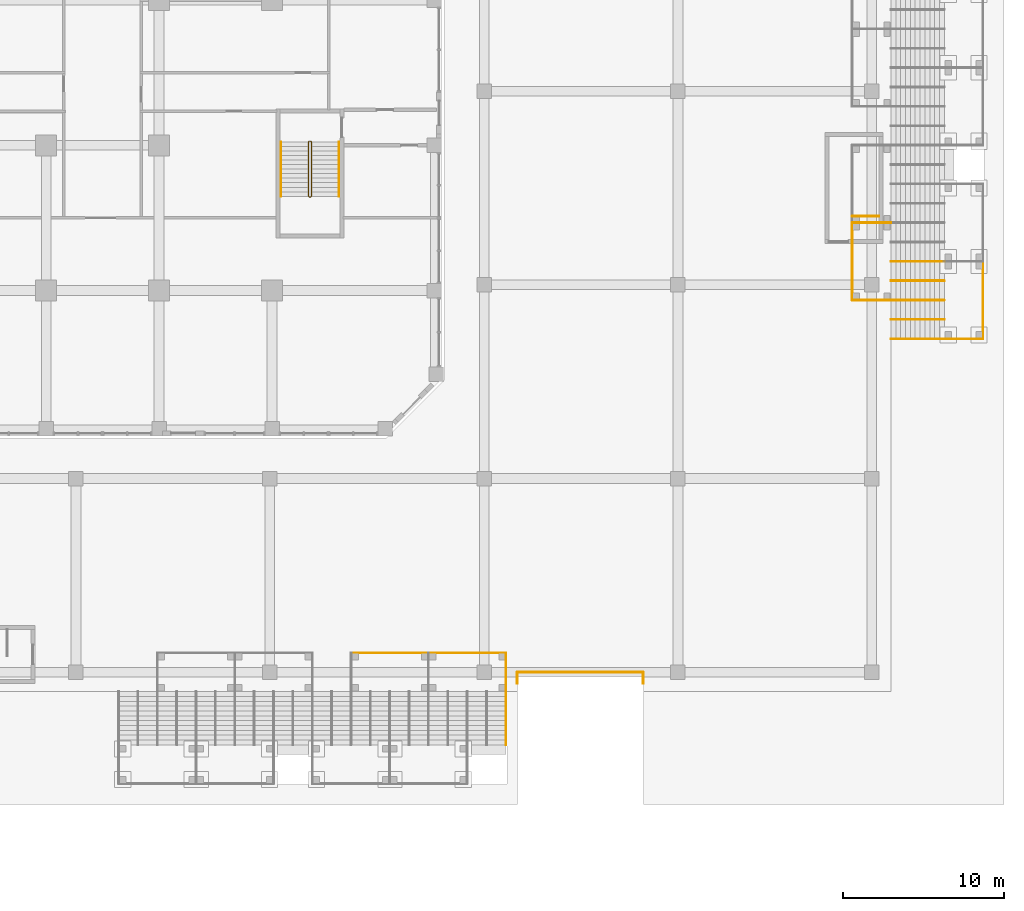
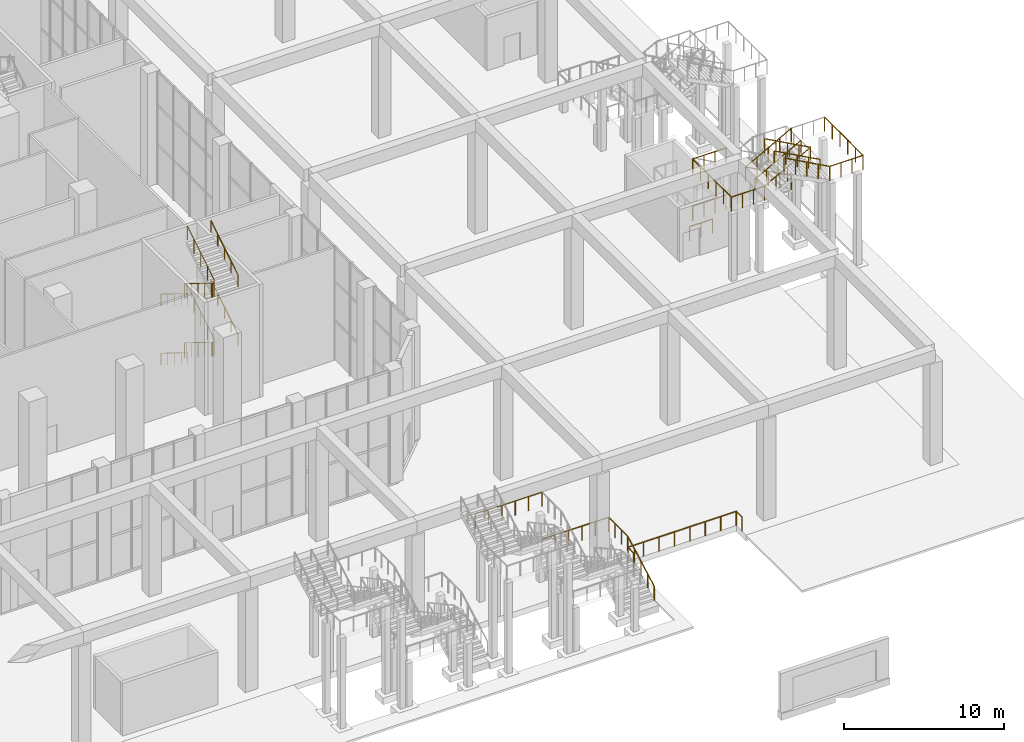
# One storey, part 34 of 43: 26 railings.
"""IFC4 building model written with IfcOpenShell, lengths in metres."""

import ifcopenshell
import ifcopenshell.guid

model = None  # the IFC model being written
_history = None  # IfcOwnerHistory: only IFC2X3 demands one
_inside = {}  # id of a spatial element -> (the spatial element, [elements in it])
_under = {}  # id of a project, library or spatial element -> (it, [spatial elements below it])
_declared = {}  # id of a project -> (the project, [libraries it declares])
_typed = {}  # id of a type object -> (the type object, [elements of that type])
_made_of = {}  # id of a material, layer set ... -> (it, [elements and type objects made of it])


def new_model(schema):
    """Start an empty IFC model of exactly this schema.

    Asked for "IFC4X3", IfcOpenShell would pick the latest addendum, in which some entities
    have other attributes; the version numbers below select the first issue.
    IFC2X3 requires an IfcOwnerHistory on every rooted entity: one is made here for all.
    """
    global model, _history
    if schema == "IFC4X3":
        model = ifcopenshell.file(schema_version=(4, 3, 0, 0))
    else:
        model = ifcopenshell.file(schema=schema)
    _inside.clear()
    _under.clear()
    _declared.clear()
    _typed.clear()
    _made_of.clear()
    _history = None
    if model.schema == "IFC2X3":
        org = make("IfcOrganization", Name="unknown")
        user = make(
            "IfcPersonAndOrganization",
            ThePerson=make("IfcPerson", FamilyName="unknown"),
            TheOrganization=org,
        )
        app = make(
            "IfcApplication",
            ApplicationDeveloper=org,
            Version="unknown",
            ApplicationFullName="unknown",
            ApplicationIdentifier="unknown",
        )
        _history = make(
            "IfcOwnerHistory",
            OwningUser=user,
            OwningApplication=app,
            ChangeAction="ADDED",
            CreationDate=0,
        )
    return model


def make(cls, **values):
    """One entity of the class cls with the attributes given. An attribute that is None is left unset."""
    return model.create_entity(
        cls, **{name: value for name, value in values.items() if value is not None}
    )


def rooted(cls, **values):
    """An entity with a GlobalId (a new one), such as an element, a storey or a relation."""
    return make(cls, GlobalId=ifcopenshell.guid.new(), OwnerHistory=_history, **values)


def si_unit(unit_type, name, prefix=None):
    """IfcSIUnit, for example si_unit("LENGTHUNIT", "METRE", prefix="MILLI")."""
    return make("IfcSIUnit", UnitType=unit_type, Prefix=prefix, Name=name)


def assignment(units):
    """IfcUnitAssignment: the units of a project."""
    return None if units is None else make("IfcUnitAssignment", Units=units)


def point(xyz):
    """IfcCartesianPoint."""
    return None if xyz is None else make("IfcCartesianPoint", Coordinates=xyz)


def direction(xyz):
    """IfcDirection."""
    return None if xyz is None else make("IfcDirection", DirectionRatios=xyz)


def frame(location, z_axis=None, x_axis=None):
    """IfcAxis2Placement3D, a coordinate frame: its origin and axes. An axis left out is left unset."""
    return make(
        "IfcAxis2Placement3D",
        Location=point(location),
        Axis=direction(z_axis),
        RefDirection=direction(x_axis),
    )


def frame_2d(location, x_axis=None):
    """IfcAxis2Placement2D, a coordinate frame in the plane: its origin and x axis."""
    return make(
        "IfcAxis2Placement2D", Location=point(location), RefDirection=direction(x_axis)
    )


def origin():
    """The frame at (0, 0, 0) with its axes left unset."""
    return frame((0.0, 0.0, 0.0))


def origin_2d():
    """The frame at (0, 0) in the plane with its x axis left unset."""
    return frame_2d((0.0, 0.0))


def place(relative_to, where):
    """IfcLocalPlacement: puts the frame where relative to a parent placement (None: the world)."""
    return make(
        "IfcLocalPlacement", PlacementRelTo=relative_to, RelativePlacement=where
    )


def context(
    kind, dimensions, precision=None, world=None, true_north=None, identifier=None
):
    """IfcGeometricRepresentationContext, for example the 3D "Model" context."""
    return make(
        "IfcGeometricRepresentationContext",
        ContextIdentifier=identifier,
        ContextType=kind,
        CoordinateSpaceDimension=dimensions,
        Precision=precision,
        WorldCoordinateSystem=world,
        TrueNorth=true_north,
    )


def subcontext(parent, identifier, kind, view, scale=None):
    """IfcGeometricRepresentationSubContext, for example "Body" below "Model"."""
    return make(
        "IfcGeometricRepresentationSubContext",
        ContextIdentifier=identifier,
        ContextType=kind,
        ParentContext=parent,
        TargetScale=scale,
        TargetView=view,
    )


def project(units=None, contexts=None):
    """IfcProject with its units and contexts."""
    return rooted(
        "IfcProject",
        Name="project",
        RepresentationContexts=contexts,
        UnitsInContext=assignment(units),
    )


def spatial(cls, under=None, at=None, **own):
    """A site, building, storey or space (cls), placed at a placement, below another one or the project."""
    s = rooted(cls, ObjectPlacement=at, **own)
    if under is not None:
        _under.setdefault(under.id(), (under, []))[1].append(s)
    return s


def profile(cls, at=None, kind="AREA", **sizes):
    """A parametric profile (cls). Its sizes go by their IFC names, for example OverallWidth=200.0."""
    return make(cls, ProfileType=kind, Position=at, **sizes)


def circle(**sizes):
    """IfcCircleProfileDef."""
    return profile("IfcCircleProfileDef", **sizes)


def extrude(swept, where, along, depth):
    """IfcExtrudedAreaSolid: the profile swept, set in the frame where, extruded along a direction by depth."""
    return make(
        "IfcExtrudedAreaSolid",
        SweptArea=swept,
        Position=where,
        ExtrudedDirection=direction(along),
        Depth=depth,
    )


def shape(context_of_items, identifier, shape_type, items):
    """IfcShapeRepresentation: the items that make up one representation, for example the "Body"."""
    return make(
        "IfcShapeRepresentation",
        ContextOfItems=context_of_items,
        RepresentationIdentifier=identifier,
        RepresentationType=shape_type,
        Items=items,
    )


def material(Name=None, Category=None):
    """IfcMaterial."""
    return make("IfcMaterial", Name=Name, Category=Category)


def made_of(thing, what):
    """Note that an element or type object is made of a material, layer set ...; save() writes the relation."""
    if what is not None:
        _made_of.setdefault(what.id(), (what, []))[1].append(thing)
    return thing


def type_object(cls, material=None, **own):
    """A type object (cls), such as IfcWallType, which elements share."""
    return made_of(rooted(cls, **own), material)


def element(
    cls,
    number,
    at=None,
    inside=None,
    cuts=None,
    type_object=None,
    material=None,
    context=None,
    identifier="Body",
    shape_type=None,
    held_by="IfcProductDefinitionShape",
    body=None,
    shapes=None,
    **own,
):
    """One element of the class cls, such as IfcWall. Its Tag is "e" and its number.

    at: its placement. inside: the storey or other place that contains it. cuts: it is an
    opening in that element (IfcRelVoidsElement). A single representation is given by context,
    identifier, shape_type and body (its items); several are given by shapes. held_by: the class
    of the entity that holds the representations. save() writes the other relations.
    """
    e = rooted(cls, Tag="e%d" % number, ObjectPlacement=at, **own)
    if body is not None:
        shapes = [shape(context, identifier, shape_type, body)]
    if shapes is not None:
        e.Representation = make(held_by, Representations=shapes)
    if inside is not None:
        _inside.setdefault(inside.id(), (inside, []))[1].append(e)
    if cuts is not None:
        rooted(
            "IfcRelVoidsElement", RelatingBuildingElement=cuts, RelatedOpeningElement=e
        )
    if type_object is not None:
        _typed.setdefault(type_object.id(), (type_object, []))[1].append(e)
    return made_of(e, material)


def aggregate(whole, parts):
    """IfcRelAggregates: a whole, such as a stair, and the parts it consists of."""
    return rooted("IfcRelAggregates", RelatingObject=whole, RelatedObjects=parts)


def save(model, path):
    """Write the relations noted so far, then the file.

    IfcRelAggregates (storeys below a building ...), IfcRelContainedInSpatialStructure (elements
    in a storey), IfcRelDefinesByType, IfcRelAssociatesMaterial and IfcRelDeclares: one each for
    every whole, place, type object, material and project.
    """
    for whole, parts in _under.values():
        aggregate(whole, parts)
    for where, things in _inside.values():
        rooted(
            "IfcRelContainedInSpatialStructure",
            RelatedElements=things,
            RelatingStructure=where,
        )
    for kind, things in _typed.values():
        rooted("IfcRelDefinesByType", RelatedObjects=things, RelatingType=kind)
    for what, things in _made_of.values():
        rooted("IfcRelAssociatesMaterial", RelatedObjects=things, RelatingMaterial=what)
    for by, libraries in _declared.values():
        rooted("IfcRelDeclares", RelatingContext=by, RelatedDefinitions=libraries)
    model.write(path)


model = new_model("IFC4")

# Units and contexts
model_context = context("Model", 3, precision=1e-05, world=origin(), true_north=direction((0.0, 1.0)))
body_context = subcontext(model_context, "Body", "Model", "MODEL_VIEW")
ifc_project = project(units=[si_unit("LENGTHUNIT", "METRE"), si_unit("AREAUNIT", "SQUARE_METRE"), si_unit("VOLUMEUNIT", "CUBIC_METRE"), si_unit("PLANEANGLEUNIT", "RADIAN"), si_unit("MASSUNIT", "GRAM", prefix="KILO")], contexts=[model_context])

# Site, building, storey
site_placement = place(None, origin())
site = spatial("IfcSite", under=ifc_project, at=site_placement, CompositionType="ELEMENT")
building_placement = place(site_placement, origin())
building = spatial("IfcBuilding", under=site, at=building_placement, Name="Kilnfold Tower and Market Hall", CompositionType="ELEMENT")
storey_placement = place(building_placement, origin())
storey = spatial("IfcBuildingStorey", under=building, at=storey_placement, Name="L00", CompositionType="ELEMENT", Elevation=0.0)

# Railings
ifc_material_1 = material(Name="Stainless steel 316", Category="steel")
railing_type_1 = type_object("IfcRailingType", Name="CAR PARK STAIR GUARD 1100", PredefinedType="GUARDRAIL", material=ifc_material_1)
railing_1_placement = place(storey_placement, frame((32.699951171875, -43.35009765625, 0.0)))
element("IfcRailing", 1, at=railing_1_placement, inside=storey, type_object=railing_type_1, Name="Ramp portal guard 1", PredefinedType="GUARDRAIL", context=body_context, shape_type="SweptSolid", body=[
    extrude(circle(Radius=0.02392578125, at=origin_2d()), frame((0.0, 0.0, 1.076171875), z_axis=(0.0, 1.0, 0.0), x_axis=(-1.0, 0.0, 0.0)), (0.0, 0.0, 1.0), 0.7001953125),
    extrude(circle(Radius=0.02099609375, at=origin_2d()), origin(), (0.0, 0.0, 1.0), 1.052001953125),
    extrude(circle(Radius=0.02099609375, at=origin_2d()), frame((0.0, 0.7001953125, 0.0)), (0.0, 0.0, 1.0), 1.052001953125),
])
railing_2_placement = place(storey_placement, frame((32.699951171875, -42.64990234375, 0.0)))
element("IfcRailing", 2, at=railing_2_placement, inside=storey, type_object=railing_type_1, Name="Ramp portal guard 2", PredefinedType="GUARDRAIL", context=body_context, shape_type="SweptSolid", body=[
    extrude(circle(Radius=0.02392578125, at=origin_2d()), frame((0.0, 0.0, 1.076171875), z_axis=(1.0, 0.0, 0.0), x_axis=(0.0, 1.0, 0.0)), (0.0, 0.0, 1.0), 7.800048828125),
    extrude(circle(Radius=0.02099609375, at=origin_2d()), origin(), (0.0, 0.0, 1.0), 1.052001953125),
    extrude(circle(Radius=0.02099609375, at=origin_2d()), frame((1.1142578125, 0.0, 0.0)), (0.0, 0.0, 1.0), 1.052001953125),
    extrude(circle(Radius=0.02099609375, at=origin_2d()), frame((2.228515625, 0.0, 0.0)), (0.0, 0.0, 1.0), 1.052001953125),
    extrude(circle(Radius=0.02099609375, at=origin_2d()), frame((3.3427734375, 0.0, 0.0)), (0.0, 0.0, 1.0), 1.052001953125),
    extrude(circle(Radius=0.02099609375, at=origin_2d()), frame((4.457275390625, 0.0, 0.0)), (0.0, 0.0, 1.0), 1.052001953125),
    extrude(circle(Radius=0.02099609375, at=origin_2d()), frame((5.571533203125, 0.0, 0.0)), (0.0, 0.0, 1.0), 1.052001953125),
    extrude(circle(Radius=0.02099609375, at=origin_2d()), frame((6.685791015625, 0.0, 0.0)), (0.0, 0.0, 1.0), 1.052001953125),
    extrude(circle(Radius=0.02099609375, at=origin_2d()), frame((7.800048828125, 0.0, 0.0)), (0.0, 0.0, 1.0), 1.052001953125),
])
railing_3_placement = place(storey_placement, frame((40.5, -42.64990234375, 0.0)))
element("IfcRailing", 3, at=railing_3_placement, inside=storey, type_object=railing_type_1, Name="Ramp portal guard 3", PredefinedType="GUARDRAIL", context=body_context, shape_type="SweptSolid", body=[
    extrude(circle(Radius=0.02392578125, at=origin_2d()), frame((0.0, 0.0, 1.076171875), z_axis=(0.0, -1.0, 0.0), x_axis=(1.0, 0.0, 0.0)), (0.0, 0.0, 1.0), 0.7001953125),
    extrude(circle(Radius=0.02099609375, at=origin_2d()), origin(), (0.0, 0.0, 1.0), 1.052001953125),
    extrude(circle(Radius=0.02099609375, at=origin_2d()), frame((0.0, -0.7001953125, 0.0)), (0.0, 0.0, 1.0), 1.052001953125),
])
railing_4_placement = place(storey_placement, frame((55.10009765625, -14.39990234375, 0.0)))
element("IfcRailing", 4, at=railing_4_placement, inside=storey, type_object=railing_type_1, Name="L00 CS3 top well guard 1", PredefinedType="GUARDRAIL", context=body_context, shape_type="SweptSolid", body=[
    extrude(circle(Radius=0.02392578125, at=origin_2d()), frame((0.0, 0.0, 1.076171875), z_axis=(-1.0, 0.0, 0.0), x_axis=(0.0, -1.0, 0.0)), (0.0, 0.0, 1.0), 1.650146484375),
    extrude(circle(Radius=0.02099609375, at=origin_2d()), origin(), (0.0, 0.0, 1.0), 1.052001953125),
    extrude(circle(Radius=0.02099609375, at=origin_2d()), frame((-0.8251953125, 0.0, 0.0)), (0.0, 0.0, 1.0), 1.052001953125),
    extrude(circle(Radius=0.02099609375, at=origin_2d()), frame((-1.650146484375, 0.0, 0.0)), (0.0, 0.0, 1.0), 1.052001953125),
])
ifc_material_2 = material(Name="Stainless steel 316", Category="steel")
railing_type_2 = type_object("IfcRailingType", Name="CORE STAIR GUARD 1100", PredefinedType="GUARDRAIL", material=ifc_material_2)
railing_5_placement = place(storey_placement, frame((19.89990234375, -9.75, 0.0)))
element("IfcRailing", 5, at=railing_5_placement, inside=storey, type_object=railing_type_2, Name="L00 ST4 stair guard 1", PredefinedType="GUARDRAIL", context=body_context, shape_type="SweptSolid", body=[
    extrude(circle(Radius=0.02392578125, at=origin_2d()), frame((0.0, 0.0, 1.076171875), z_axis=(-1.0, 0.0, 0.0), x_axis=(0.0, -1.0, 0.0)), (0.0, 0.0, 1.0), 0.099853515625),
    extrude(circle(Radius=0.02392578125, at=origin_2d()), frame((-0.099853515625, 0.0, 1.076171875), z_axis=(-0.267629722418, -0.267629722418, 0.925607186314), x_axis=(0.707106781187, -0.707106781187, 0.0)), (0.0, 0.0, 1.0), 0.18701171875),
    extrude(circle(Radius=0.02392578125, at=origin_2d()), frame((-0.14990234375, -0.050048828125, 1.2490234375), z_axis=(0.0, -0.850606129759, 0.525803396734), x_axis=(1.0, 0.0, 0.0)), (0.0, 0.0, 1.0), 3.949951171875),
    extrude(circle(Radius=0.02392578125, at=origin_2d()), frame((-0.14990234375, -3.409912109375, 3.326171875), z_axis=(0.707106781187, -0.707106781187, 0.0), x_axis=(0.707106781187, 0.707106781187, 0.0)), (0.0, 0.0, 1.0), 0.07080078125),
    extrude(circle(Radius=0.02392578125, at=origin_2d()), frame((-0.099853515625, -3.4599609375, 3.326171875), z_axis=(1.0, 0.0, 0.0), x_axis=(0.0, 1.0, 0.0)), (0.0, 0.0, 1.0), 0.099853515625),
    extrude(circle(Radius=0.02392578125, at=origin_2d()), frame((0.0, -3.4599609375, 3.326171875), z_axis=(0.267629722418, 0.267629722418, 0.925607186314), x_axis=(-0.707106781187, 0.707106781187, 0.0)), (0.0, 0.0, 1.0), 0.18701171875),
    extrude(circle(Radius=0.02392578125, at=origin_2d()), frame((0.050048828125, -3.409912109375, 3.4990234375), z_axis=(0.0, 0.850606129759, 0.525803396734), x_axis=(-1.0, 0.0, 0.0)), (0.0, 0.0, 1.0), 3.949951171875),
    extrude(circle(Radius=0.02392578125, at=origin_2d()), frame((0.050048828125, -0.050048828125, 5.576171875), z_axis=(-0.707106781187, 0.707106781187, 0.0), x_axis=(-0.707106781187, -0.707106781187, 0.0)), (0.0, 0.0, 1.0), 0.07080078125),
    extrude(circle(Radius=0.02392578125, at=origin_2d()), frame((0.0, 0.0, 5.576171875), z_axis=(-1.0, 0.0, 0.0), x_axis=(0.0, -1.0, 0.0)), (0.0, 0.0, 1.0), 0.099853515625),
    extrude(circle(Radius=0.02392578125, at=origin_2d()), frame((-0.099853515625, 0.0, 5.576171875), z_axis=(-0.267629722418, -0.267629722418, 0.925607186314), x_axis=(0.707106781187, -0.707106781187, 0.0)), (0.0, 0.0, 1.0), 0.18701171875),
    extrude(circle(Radius=0.02392578125, at=origin_2d()), frame((-0.14990234375, -0.050048828125, 5.7490234375), z_axis=(0.0, -0.850606129759, 0.525803396734), x_axis=(1.0, 0.0, 0.0)), (0.0, 0.0, 1.0), 3.949951171875),
    extrude(circle(Radius=0.02392578125, at=origin_2d()), frame((-0.14990234375, -3.409912109375, 7.826171875), z_axis=(0.707106781187, -0.707106781187, 0.0), x_axis=(0.707106781187, 0.707106781187, 0.0)), (0.0, 0.0, 1.0), 0.07080078125),
    extrude(circle(Radius=0.02392578125, at=origin_2d()), frame((-0.099853515625, -3.4599609375, 7.826171875), z_axis=(1.0, 0.0, 0.0), x_axis=(0.0, 1.0, 0.0)), (0.0, 0.0, 1.0), 0.099853515625),
    extrude(circle(Radius=0.02392578125, at=origin_2d()), frame((0.0, -3.4599609375, 7.826171875), z_axis=(0.267629722418, 0.267629722418, 0.925607186314), x_axis=(-0.707106781187, 0.707106781187, 0.0)), (0.0, 0.0, 1.0), 0.18701171875),
    extrude(circle(Radius=0.02392578125, at=origin_2d()), frame((0.050048828125, -3.409912109375, 7.9990234375), z_axis=(0.0, 0.850606129759, 0.525803396734), x_axis=(-1.0, 0.0, 0.0)), (0.0, 0.0, 1.0), 3.949951171875),
    extrude(circle(Radius=0.02099609375, at=origin_2d()), origin(), (0.0, 0.0, 1.0), 1.052001953125),
    extrude(circle(Radius=0.02099609375, at=origin_2d()), frame((-0.099853515625, 0.0, 0.0)), (0.0, 0.0, 1.0), 1.052001953125),
    extrude(circle(Radius=0.02099609375, at=origin_2d()), frame((-0.14990234375, -0.050048828125, 0.173095703125)), (0.0, 0.0, 1.0), 1.052001953125),
    extrude(circle(Radius=0.02099609375, at=origin_2d()), frame((-0.14990234375, -0.89013671875, 0.6923828125)), (0.0, 0.0, 1.0), 1.052001953125),
    extrude(circle(Radius=0.02099609375, at=origin_2d()), frame((-0.14990234375, -1.72998046875, 1.21142578125)), (0.0, 0.0, 1.0), 1.052001953125),
    extrude(circle(Radius=0.02099609375, at=origin_2d()), frame((-0.14990234375, -2.56982421875, 1.730712890625)), (0.0, 0.0, 1.0), 1.052001953125),
    extrude(circle(Radius=0.02099609375, at=origin_2d()), frame((-0.14990234375, -3.409912109375, 2.25)), (0.0, 0.0, 1.0), 1.052001953125),
    extrude(circle(Radius=0.02099609375, at=origin_2d()), frame((-0.099853515625, -3.4599609375, 2.25)), (0.0, 0.0, 1.0), 1.052001953125),
    extrude(circle(Radius=0.02099609375, at=origin_2d()), frame((0.0, -3.4599609375, 2.25)), (0.0, 0.0, 1.0), 1.052001953125),
    extrude(circle(Radius=0.02099609375, at=origin_2d()), frame((0.050048828125, -3.409912109375, 2.423095703125)), (0.0, 0.0, 1.0), 1.052001953125),
    extrude(circle(Radius=0.02099609375, at=origin_2d()), frame((0.050048828125, -2.56982421875, 2.9423828125)), (0.0, 0.0, 1.0), 1.052001953125),
    extrude(circle(Radius=0.02099609375, at=origin_2d()), frame((0.050048828125, -1.72998046875, 3.46142578125)), (0.0, 0.0, 1.0), 1.052001953125),
    extrude(circle(Radius=0.02099609375, at=origin_2d()), frame((0.050048828125, -0.89013671875, 3.980712890625)), (0.0, 0.0, 1.0), 1.052001953125),
    extrude(circle(Radius=0.02099609375, at=origin_2d()), frame((0.050048828125, -0.050048828125, 4.5)), (0.0, 0.0, 1.0), 1.052001953125),
    extrude(circle(Radius=0.02099609375, at=origin_2d()), frame((0.0, 0.0, 4.5)), (0.0, 0.0, 1.0), 1.052001953125),
    extrude(circle(Radius=0.02099609375, at=origin_2d()), frame((-0.099853515625, 0.0, 4.5)), (0.0, 0.0, 1.0), 1.052001953125),
    extrude(circle(Radius=0.02099609375, at=origin_2d()), frame((-0.14990234375, -0.050048828125, 4.673095703125)), (0.0, 0.0, 1.0), 1.052001953125),
    extrude(circle(Radius=0.02099609375, at=origin_2d()), frame((-0.14990234375, -0.89013671875, 5.1923828125)), (0.0, 0.0, 1.0), 1.052001953125),
    extrude(circle(Radius=0.02099609375, at=origin_2d()), frame((-0.14990234375, -1.72998046875, 5.71142578125)), (0.0, 0.0, 1.0), 1.052001953125),
    extrude(circle(Radius=0.02099609375, at=origin_2d()), frame((-0.14990234375, -2.56982421875, 6.230712890625)), (0.0, 0.0, 1.0), 1.052001953125),
    extrude(circle(Radius=0.02099609375, at=origin_2d()), frame((-0.14990234375, -3.409912109375, 6.75)), (0.0, 0.0, 1.0), 1.052001953125),
    extrude(circle(Radius=0.02099609375, at=origin_2d()), frame((-0.099853515625, -3.4599609375, 6.75)), (0.0, 0.0, 1.0), 1.052001953125),
    extrude(circle(Radius=0.02099609375, at=origin_2d()), frame((0.0, -3.4599609375, 6.75)), (0.0, 0.0, 1.0), 1.052001953125),
    extrude(circle(Radius=0.02099609375, at=origin_2d()), frame((0.050048828125, -3.409912109375, 6.923095703125)), (0.0, 0.0, 1.0), 1.052001953125),
    extrude(circle(Radius=0.02099609375, at=origin_2d()), frame((0.050048828125, -2.56982421875, 7.4423828125)), (0.0, 0.0, 1.0), 1.052001953125),
    extrude(circle(Radius=0.02099609375, at=origin_2d()), frame((0.050048828125, -1.72998046875, 7.96142578125)), (0.0, 0.0, 1.0), 1.052001953125),
    extrude(circle(Radius=0.02099609375, at=origin_2d()), frame((0.050048828125, -0.89013671875, 8.480712890625)), (0.0, 0.0, 1.0), 1.052001953125),
    extrude(circle(Radius=0.02099609375, at=origin_2d()), frame((0.050048828125, -0.050048828125, 9.0)), (0.0, 0.0, 1.0), 1.052001953125),
])
ifc_material_3 = material(Name="Stainless steel 316", Category="steel")
railing_type_3 = type_object("IfcRailingType", Name="CORE STAIR HANDRAIL 900", PredefinedType="HANDRAIL", material=ifc_material_3)
railing_6_placement = place(storey_placement, frame((18.050048828125, -9.800048828125, 0.173095703125)))
element("IfcRailing", 6, at=railing_6_placement, inside=storey, type_object=railing_type_3, Name="L00 ST4 stair handrail 1", PredefinedType="HANDRAIL", context=body_context, shape_type="SweptSolid", body=[
    extrude(circle(Radius=0.02392578125, at=origin_2d()), frame((0.0, 0.0, 0.8759765625), z_axis=(0.0, -0.850606129759, 0.525803396734), x_axis=(1.0, 0.0, 0.0)), (0.0, 0.0, 1.0), 3.949951171875),
    extrude(circle(Radius=0.02099609375, at=origin_2d()), origin(), (0.0, 0.0, 1.0), 0.851806640625),
    extrude(circle(Radius=0.02099609375, at=origin_2d()), frame((0.0, -0.83984375, 0.519287109375)), (0.0, 0.0, 1.0), 0.851806640625),
    extrude(circle(Radius=0.02099609375, at=origin_2d()), frame((0.0, -1.679931640625, 1.03857421875)), (0.0, 0.0, 1.0), 0.851806640625),
    extrude(circle(Radius=0.02099609375, at=origin_2d()), frame((0.0, -2.52001953125, 1.5576171875)), (0.0, 0.0, 1.0), 0.851806640625),
    extrude(circle(Radius=0.02099609375, at=origin_2d()), frame((0.0, -3.35986328125, 2.076904296875)), (0.0, 0.0, 1.0), 0.851806640625),
])
railing_7_placement = place(storey_placement, frame((21.64990234375, -13.159912109375, 2.423095703125)))
element("IfcRailing", 7, at=railing_7_placement, inside=storey, type_object=railing_type_3, Name="L00 ST4 stair handrail 2", PredefinedType="HANDRAIL", context=body_context, shape_type="SweptSolid", body=[
    extrude(circle(Radius=0.02392578125, at=origin_2d()), frame((0.0, 0.0, 0.8759765625), z_axis=(0.0, 0.850606129759, 0.525803396734), x_axis=(-1.0, 0.0, 0.0)), (0.0, 0.0, 1.0), 3.949951171875),
    extrude(circle(Radius=0.02099609375, at=origin_2d()), origin(), (0.0, 0.0, 1.0), 0.851806640625),
    extrude(circle(Radius=0.02099609375, at=origin_2d()), frame((0.0, 0.83984375, 0.519287109375)), (0.0, 0.0, 1.0), 0.851806640625),
    extrude(circle(Radius=0.02099609375, at=origin_2d()), frame((0.0, 1.679931640625, 1.03857421875)), (0.0, 0.0, 1.0), 0.851806640625),
    extrude(circle(Radius=0.02099609375, at=origin_2d()), frame((0.0, 2.52001953125, 1.5576171875)), (0.0, 0.0, 1.0), 0.851806640625),
    extrude(circle(Radius=0.02099609375, at=origin_2d()), frame((0.0, 3.35986328125, 2.076904296875)), (0.0, 0.0, 1.0), 0.851806640625),
])
railing_8_placement = place(storey_placement, frame((18.050048828125, -9.800048828125, 4.673095703125)))
element("IfcRailing", 8, at=railing_8_placement, inside=storey, type_object=railing_type_3, Name="L00 ST4 stair handrail 3", PredefinedType="HANDRAIL", context=body_context, shape_type="SweptSolid", body=[
    extrude(circle(Radius=0.02392578125, at=origin_2d()), frame((0.0, 0.0, 0.8759765625), z_axis=(0.0, -0.850606129759, 0.525803396734), x_axis=(1.0, 0.0, 0.0)), (0.0, 0.0, 1.0), 3.949951171875),
    extrude(circle(Radius=0.02099609375, at=origin_2d()), origin(), (0.0, 0.0, 1.0), 0.851806640625),
    extrude(circle(Radius=0.02099609375, at=origin_2d()), frame((0.0, -0.83984375, 0.519287109375)), (0.0, 0.0, 1.0), 0.851806640625),
    extrude(circle(Radius=0.02099609375, at=origin_2d()), frame((0.0, -1.679931640625, 1.03857421875)), (0.0, 0.0, 1.0), 0.851806640625),
    extrude(circle(Radius=0.02099609375, at=origin_2d()), frame((0.0, -2.52001953125, 1.5576171875)), (0.0, 0.0, 1.0), 0.851806640625),
    extrude(circle(Radius=0.02099609375, at=origin_2d()), frame((0.0, -3.35986328125, 2.076904296875)), (0.0, 0.0, 1.0), 0.851806640625),
])
railing_9_placement = place(storey_placement, frame((21.64990234375, -13.159912109375, 6.923095703125)))
element("IfcRailing", 9, at=railing_9_placement, inside=storey, type_object=railing_type_3, Name="L00 ST4 stair handrail 4", PredefinedType="HANDRAIL", context=body_context, shape_type="SweptSolid", body=[
    extrude(circle(Radius=0.02392578125, at=origin_2d()), frame((0.0, 0.0, 0.8759765625), z_axis=(0.0, 0.850606129759, 0.525803396734), x_axis=(-1.0, 0.0, 0.0)), (0.0, 0.0, 1.0), 3.949951171875),
    extrude(circle(Radius=0.02099609375, at=origin_2d()), origin(), (0.0, 0.0, 1.0), 0.851806640625),
    extrude(circle(Radius=0.02099609375, at=origin_2d()), frame((0.0, 0.83984375, 0.519287109375)), (0.0, 0.0, 1.0), 0.851806640625),
    extrude(circle(Radius=0.02099609375, at=origin_2d()), frame((0.0, 1.679931640625, 1.03857421875)), (0.0, 0.0, 1.0), 0.851806640625),
    extrude(circle(Radius=0.02099609375, at=origin_2d()), frame((0.0, 2.52001953125, 1.5576171875)), (0.0, 0.0, 1.0), 0.851806640625),
    extrude(circle(Radius=0.02099609375, at=origin_2d()), frame((0.0, 3.35986328125, 2.076904296875)), (0.0, 0.0, 1.0), 0.851806640625),
])
ifc_material_4 = material(Name="Stainless steel 316", Category="steel")
railing_type_4 = type_object("IfcRailingType", Name="DECK GUARD 1100", PredefinedType="GUARDRAIL", material=ifc_material_4)
railing_10_placement = place(storey_placement, frame((32.0, -43.85009765625, 1.800048828125)))
element("IfcRailing", 10, at=railing_10_placement, inside=storey, type_object=railing_type_4, Name="Garden stair GS-S2 guard 9", PredefinedType="GUARDRAIL", context=body_context, shape_type="SweptSolid", body=[
    extrude(circle(Radius=0.02392578125, at=origin_2d()), frame((0.0, 0.0, 1.076171875), z_axis=(0.0, -0.8778781969, -0.478883985332), x_axis=(1.0, 0.0, 0.0)), (0.0, 0.0, 1.0), 3.7587890625),
    extrude(circle(Radius=0.02099609375, at=origin_2d()), origin(), (0.0, 0.0, 1.0), 1.052001953125),
    extrude(circle(Radius=0.02099609375, at=origin_2d()), frame((0.0, -0.824951171875, -0.449951171875)), (0.0, 0.0, 1.0), 1.052001953125),
    extrude(circle(Radius=0.02099609375, at=origin_2d()), frame((0.0, -1.64990234375, -0.89990234375)), (0.0, 0.0, 1.0), 1.052001953125),
    extrude(circle(Radius=0.02099609375, at=origin_2d()), frame((0.0, -2.474853515625, -1.35009765625)), (0.0, 0.0, 1.0), 1.052001953125),
    extrude(circle(Radius=0.02099609375, at=origin_2d()), frame((0.0, -3.2998046875, -1.800048828125)), (0.0, 0.0, 1.0), 1.052001953125),
])
for number, where, name in (
    (11, (22.39990234375, -41.449951171875, 5.39990234375), "Garden stair GS-S2 guard 14"),
    (12, (27.199951171875, -41.449951171875, 1.800048828125), "Garden stair GS-S2 guard 20"),
):
    element("IfcRailing", number, at=place(storey_placement, frame(where)), inside=storey, type_object=railing_type_4, Name=name, PredefinedType="GUARDRAIL", context=body_context, shape_type="SweptSolid", body=[
        extrude(circle(Radius=0.02392578125, at=origin_2d()), frame((0.0, 0.0, 1.076171875), z_axis=(1.0, 0.0, 0.0), x_axis=(0.0, 1.0, 0.0)), (0.0, 0.0, 1.0), 4.800048828125),
        extrude(circle(Radius=0.02099609375, at=origin_2d()), origin(), (0.0, 0.0, 1.0), 1.052001953125),
        extrude(circle(Radius=0.02099609375, at=origin_2d()), frame((0.9599609375, 0.0, 0.0)), (0.0, 0.0, 1.0), 1.052001953125),
        extrude(circle(Radius=0.02099609375, at=origin_2d()), frame((1.919921875, 0.0, 0.0)), (0.0, 0.0, 1.0), 1.052001953125),
        extrude(circle(Radius=0.02099609375, at=origin_2d()), frame((2.880126953125, 0.0, 0.0)), (0.0, 0.0, 1.0), 1.052001953125),
        extrude(circle(Radius=0.02099609375, at=origin_2d()), frame((3.840087890625, 0.0, 0.0)), (0.0, 0.0, 1.0), 1.052001953125),
        extrude(circle(Radius=0.02099609375, at=origin_2d()), frame((4.800048828125, 0.0, 0.0)), (0.0, 0.0, 1.0), 1.052001953125),
    ])
railing_11_placement = place(storey_placement, frame((32.0, -41.449951171875, 1.800048828125)))
element("IfcRailing", 13, at=railing_11_placement, inside=storey, type_object=railing_type_4, Name="Garden stair GS-S2 guard 21", PredefinedType="GUARDRAIL", context=body_context, shape_type="SweptSolid", body=[
    extrude(circle(Radius=0.02392578125, at=origin_2d()), frame((0.0, 0.0, 1.076171875), z_axis=(0.0, -1.0, 0.0), x_axis=(1.0, 0.0, 0.0)), (0.0, 0.0, 1.0), 2.400146484375),
    extrude(circle(Radius=0.02099609375, at=origin_2d()), origin(), (0.0, 0.0, 1.0), 1.052001953125),
    extrude(circle(Radius=0.02099609375, at=origin_2d()), frame((0.0, -0.800048828125, 0.0)), (0.0, 0.0, 1.0), 1.052001953125),
    extrude(circle(Radius=0.02099609375, at=origin_2d()), frame((0.0, -1.60009765625, 0.0)), (0.0, 0.0, 1.0), 1.052001953125),
    extrude(circle(Radius=0.02099609375, at=origin_2d()), frame((0.0, -2.400146484375, 0.0)), (0.0, 0.0, 1.0), 1.052001953125),
])
railing_12_placement = place(storey_placement, frame((55.85009765625, -19.60009765625, 9.0)))
element("IfcRailing", 14, at=railing_12_placement, inside=storey, type_object=railing_type_4, Name="Garden stair GS-E1 guard 1", PredefinedType="GUARDRAIL", context=body_context, shape_type="SweptSolid", body=[
    extrude(circle(Radius=0.02392578125, at=origin_2d()), frame((0.0, 0.0, 1.076171875), z_axis=(0.8778781969, 0.0, -0.478883985332), x_axis=(0.0, 1.0, 0.0)), (0.0, 0.0, 1.0), 3.7587890625),
    extrude(circle(Radius=0.02099609375, at=origin_2d()), origin(), (0.0, 0.0, 1.0), 1.052001953125),
    extrude(circle(Radius=0.02099609375, at=origin_2d()), frame((0.824951171875, 0.0, -0.449951171875)), (0.0, 0.0, 1.0), 1.052001953125),
    extrude(circle(Radius=0.02099609375, at=origin_2d()), frame((1.64990234375, 0.0, -0.89990234375)), (0.0, 0.0, 1.0), 1.052001953125),
    extrude(circle(Radius=0.02099609375, at=origin_2d()), frame((2.474853515625, 0.0, -1.35009765625)), (0.0, 0.0, 1.0), 1.052001953125),
    extrude(circle(Radius=0.02099609375, at=origin_2d()), frame((3.2998046875, 0.0, -1.800048828125)), (0.0, 0.0, 1.0), 1.052001953125),
])
railing_13_placement = place(storey_placement, frame((59.14990234375, -22.0, 7.199951171875)))
element("IfcRailing", 15, at=railing_13_placement, inside=storey, type_object=railing_type_4, Name="Garden stair GS-E1 guard 2", PredefinedType="GUARDRAIL", context=body_context, shape_type="SweptSolid", body=[
    extrude(circle(Radius=0.02392578125, at=origin_2d()), frame((0.0, 0.0, 1.076171875), z_axis=(-0.8778781969, 0.0, 0.478883985332), x_axis=(0.0, -1.0, 0.0)), (0.0, 0.0, 1.0), 3.7587890625),
    extrude(circle(Radius=0.02099609375, at=origin_2d()), origin(), (0.0, 0.0, 1.0), 1.052001953125),
    extrude(circle(Radius=0.02099609375, at=origin_2d()), frame((-0.824951171875, 0.0, 0.449951171875)), (0.0, 0.0, 1.0), 1.052001953125),
    extrude(circle(Radius=0.02099609375, at=origin_2d()), frame((-1.64990234375, 0.0, 0.89990234375)), (0.0, 0.0, 1.0), 1.052001953125),
    extrude(circle(Radius=0.02099609375, at=origin_2d()), frame((-2.474853515625, 0.0, 1.35009765625)), (0.0, 0.0, 1.0), 1.052001953125),
    extrude(circle(Radius=0.02099609375, at=origin_2d()), frame((-3.2998046875, 0.0, 1.800048828125)), (0.0, 0.0, 1.0), 1.052001953125),
])
railing_14_placement = place(storey_placement, frame((55.85009765625, -17.199951171875, 5.39990234375)))
element("IfcRailing", 16, at=railing_14_placement, inside=storey, type_object=railing_type_4, Name="Garden stair GS-E1 guard 3", PredefinedType="GUARDRAIL", context=body_context, shape_type="SweptSolid", body=[
    extrude(circle(Radius=0.02392578125, at=origin_2d()), frame((0.0, 0.0, 1.076171875), z_axis=(0.8778781969, 0.0, 0.478883985332), x_axis=(0.0, 1.0, 0.0)), (0.0, 0.0, 1.0), 3.7587890625),
    extrude(circle(Radius=0.02099609375, at=origin_2d()), origin(), (0.0, 0.0, 1.0), 1.052001953125),
    extrude(circle(Radius=0.02099609375, at=origin_2d()), frame((0.824951171875, 0.0, 0.449951171875)), (0.0, 0.0, 1.0), 1.052001953125),
    extrude(circle(Radius=0.02099609375, at=origin_2d()), frame((1.64990234375, 0.0, 0.89990234375)), (0.0, 0.0, 1.0), 1.052001953125),
    extrude(circle(Radius=0.02099609375, at=origin_2d()), frame((2.474853515625, 0.0, 1.35009765625)), (0.0, 0.0, 1.0), 1.052001953125),
    extrude(circle(Radius=0.02099609375, at=origin_2d()), frame((3.2998046875, 0.0, 1.800048828125)), (0.0, 0.0, 1.0), 1.052001953125),
])
railing_15_placement = place(storey_placement, frame((59.14990234375, -19.60009765625, 7.199951171875)))
element("IfcRailing", 17, at=railing_15_placement, inside=storey, type_object=railing_type_4, Name="Garden stair GS-E1 guard 4", PredefinedType="GUARDRAIL", context=body_context, shape_type="SweptSolid", body=[
    extrude(circle(Radius=0.02392578125, at=origin_2d()), frame((0.0, 0.0, 1.076171875), z_axis=(-0.8778781969, 0.0, -0.478883985332), x_axis=(0.0, -1.0, 0.0)), (0.0, 0.0, 1.0), 3.7587890625),
    extrude(circle(Radius=0.02099609375, at=origin_2d()), origin(), (0.0, 0.0, 1.0), 1.052001953125),
    extrude(circle(Radius=0.02099609375, at=origin_2d()), frame((-0.824951171875, 0.0, -0.449951171875)), (0.0, 0.0, 1.0), 1.052001953125),
    extrude(circle(Radius=0.02099609375, at=origin_2d()), frame((-1.64990234375, 0.0, -0.89990234375)), (0.0, 0.0, 1.0), 1.052001953125),
    extrude(circle(Radius=0.02099609375, at=origin_2d()), frame((-2.474853515625, 0.0, -1.35009765625)), (0.0, 0.0, 1.0), 1.052001953125),
    extrude(circle(Radius=0.02099609375, at=origin_2d()), frame((-3.2998046875, 0.0, -1.800048828125)), (0.0, 0.0, 1.0), 1.052001953125),
])
railing_16_placement = place(storey_placement, frame((59.14990234375, -17.199951171875, 3.60009765625)))
element("IfcRailing", 18, at=railing_16_placement, inside=storey, type_object=railing_type_4, Name="Garden stair GS-E1 guard 6", PredefinedType="GUARDRAIL", context=body_context, shape_type="SweptSolid", body=[
    extrude(circle(Radius=0.02392578125, at=origin_2d()), frame((0.0, 0.0, 1.076171875), z_axis=(-0.877905501855, 0.0, 0.478833927173), x_axis=(0.0, -1.0, 0.0)), (0.0, 0.0, 1.0), 3.7587890625),
    extrude(circle(Radius=0.02099609375, at=origin_2d()), origin(), (0.0, 0.0, 1.0), 1.052001953125),
    extrude(circle(Radius=0.02099609375, at=origin_2d()), frame((-0.824951171875, 0.0, 0.449951171875)), (0.0, 0.0, 1.0), 1.052001953125),
    extrude(circle(Radius=0.02099609375, at=origin_2d()), frame((-1.64990234375, 0.0, 0.89990234375)), (0.0, 0.0, 1.0), 1.052001953125),
    extrude(circle(Radius=0.02099609375, at=origin_2d()), frame((-2.474853515625, 0.0, 1.349853515625)), (0.0, 0.0, 1.0), 1.052001953125),
    extrude(circle(Radius=0.02099609375, at=origin_2d()), frame((-3.2998046875, 0.0, 1.7998046875)), (0.0, 0.0, 1.0), 1.052001953125),
])
railing_17_placement = place(storey_placement, frame((61.550048828125, -17.199951171875, 7.199951171875)))
element("IfcRailing", 19, at=railing_17_placement, inside=storey, type_object=railing_type_4, Name="Garden stair GS-E1 guard 12", PredefinedType="GUARDRAIL", context=body_context, shape_type="SweptSolid", body=[
    extrude(circle(Radius=0.02392578125, at=origin_2d()), frame((0.0, 0.0, 1.076171875), z_axis=(0.0, -1.0, 0.0), x_axis=(1.0, 0.0, 0.0)), (0.0, 0.0, 1.0), 4.800048828125),
    extrude(circle(Radius=0.02099609375, at=origin_2d()), origin(), (0.0, 0.0, 1.0), 1.052001953125),
    extrude(circle(Radius=0.02099609375, at=origin_2d()), frame((0.0, -0.9599609375, 0.0)), (0.0, 0.0, 1.0), 1.052001953125),
    extrude(circle(Radius=0.02099609375, at=origin_2d()), frame((0.0, -1.919921875, 0.0)), (0.0, 0.0, 1.0), 1.052001953125),
    extrude(circle(Radius=0.02099609375, at=origin_2d()), frame((0.0, -2.880126953125, 0.0)), (0.0, 0.0, 1.0), 1.052001953125),
    extrude(circle(Radius=0.02099609375, at=origin_2d()), frame((0.0, -3.840087890625, 0.0)), (0.0, 0.0, 1.0), 1.052001953125),
    extrude(circle(Radius=0.02099609375, at=origin_2d()), frame((0.0, -4.800048828125, 0.0)), (0.0, 0.0, 1.0), 1.052001953125),
])
railing_18_placement = place(storey_placement, frame((61.550048828125, -22.0, 7.199951171875)))
element("IfcRailing", 20, at=railing_18_placement, inside=storey, type_object=railing_type_4, Name="Garden stair GS-E1 guard 13", PredefinedType="GUARDRAIL", context=body_context, shape_type="SweptSolid", body=[
    extrude(circle(Radius=0.02392578125, at=origin_2d()), frame((0.0, 0.0, 1.076171875), z_axis=(-1.0, 0.0, 0.0), x_axis=(0.0, -1.0, 0.0)), (0.0, 0.0, 1.0), 2.400146484375),
    extrude(circle(Radius=0.02099609375, at=origin_2d()), origin(), (0.0, 0.0, 1.0), 1.052001953125),
    extrude(circle(Radius=0.02099609375, at=origin_2d()), frame((-0.800048828125, 0.0, 0.0)), (0.0, 0.0, 1.0), 1.052001953125),
    extrude(circle(Radius=0.02099609375, at=origin_2d()), frame((-1.60009765625, 0.0, 0.0)), (0.0, 0.0, 1.0), 1.052001953125),
    extrude(circle(Radius=0.02099609375, at=origin_2d()), frame((-2.400146484375, 0.0, 0.0)), (0.0, 0.0, 1.0), 1.052001953125),
])
railing_19_placement = place(storey_placement, frame((53.449951171875, -19.60009765625, 5.39990234375)))
element("IfcRailing", 21, at=railing_19_placement, inside=storey, type_object=railing_type_4, Name="Garden stair GS-E1 guard 14", PredefinedType="GUARDRAIL", context=body_context, shape_type="SweptSolid", body=[
    extrude(circle(Radius=0.02392578125, at=origin_2d()), frame((0.0, 0.0, 1.076171875), z_axis=(0.0, 1.0, 0.0), x_axis=(-1.0, 0.0, 0.0)), (0.0, 0.0, 1.0), 4.800048828125),
    extrude(circle(Radius=0.02099609375, at=origin_2d()), origin(), (0.0, 0.0, 1.0), 1.052001953125),
    extrude(circle(Radius=0.02099609375, at=origin_2d()), frame((0.0, 0.9599609375, 0.0)), (0.0, 0.0, 1.0), 1.052001953125),
    extrude(circle(Radius=0.02099609375, at=origin_2d()), frame((0.0, 1.919921875, 0.0)), (0.0, 0.0, 1.0), 1.052001953125),
    extrude(circle(Radius=0.02099609375, at=origin_2d()), frame((0.0, 2.880126953125, 0.0)), (0.0, 0.0, 1.0), 1.052001953125),
    extrude(circle(Radius=0.02099609375, at=origin_2d()), frame((0.0, 3.840087890625, 0.0)), (0.0, 0.0, 1.0), 1.052001953125),
    extrude(circle(Radius=0.02099609375, at=origin_2d()), frame((0.0, 4.800048828125, 0.0)), (0.0, 0.0, 1.0), 1.052001953125),
])
railing_20_placement = place(storey_placement, frame((53.449951171875, -14.800048828125, 5.39990234375)))
element("IfcRailing", 22, at=railing_20_placement, inside=storey, type_object=railing_type_4, Name="Garden stair GS-E1 guard 15", PredefinedType="GUARDRAIL", context=body_context, shape_type="SweptSolid", body=[
    extrude(circle(Radius=0.02392578125, at=origin_2d()), frame((0.0, 0.0, 1.076171875), z_axis=(1.0, 0.0, 0.0), x_axis=(0.0, 1.0, 0.0)), (0.0, 0.0, 1.0), 2.400146484375),
    extrude(circle(Radius=0.02099609375, at=origin_2d()), origin(), (0.0, 0.0, 1.0), 1.052001953125),
    extrude(circle(Radius=0.02099609375, at=origin_2d()), frame((0.800048828125, 0.0, 0.0)), (0.0, 0.0, 1.0), 1.052001953125),
    extrude(circle(Radius=0.02099609375, at=origin_2d()), frame((1.60009765625, 0.0, 0.0)), (0.0, 0.0, 1.0), 1.052001953125),
    extrude(circle(Radius=0.02099609375, at=origin_2d()), frame((2.400146484375, 0.0, 0.0)), (0.0, 0.0, 1.0), 1.052001953125),
])
for number, where, name in (
    (23, (55.85009765625, -19.60009765625, 5.39990234375), "Garden stair GS-E1 guard 16"),
    (24, (55.85009765625, -14.800048828125, 1.800048828125), "Garden stair GS-E1 guard 22"),
):
    element("IfcRailing", number, at=place(storey_placement, frame(where)), inside=storey, type_object=railing_type_4, Name=name, PredefinedType="GUARDRAIL", context=body_context, shape_type="SweptSolid", body=[
        extrude(circle(Radius=0.02392578125, at=origin_2d()), frame((0.0, 0.0, 1.076171875), z_axis=(-1.0, 0.0, 0.0), x_axis=(0.0, -1.0, 0.0)), (0.0, 0.0, 1.0), 2.400146484375),
        extrude(circle(Radius=0.02099609375, at=origin_2d()), origin(), (0.0, 0.0, 1.0), 1.052001953125),
        extrude(circle(Radius=0.02099609375, at=origin_2d()), frame((-0.800048828125, 0.0, 0.0)), (0.0, 0.0, 1.0), 1.052001953125),
        extrude(circle(Radius=0.02099609375, at=origin_2d()), frame((-1.60009765625, 0.0, 0.0)), (0.0, 0.0, 1.0), 1.052001953125),
        extrude(circle(Radius=0.02099609375, at=origin_2d()), frame((-2.400146484375, 0.0, 0.0)), (0.0, 0.0, 1.0), 1.052001953125),
    ])
ifc_material_5 = material(Name="Stainless steel 316", Category="steel")
railing_type_5 = type_object("IfcRailingType", Name="GARDEN STAIR HANDRAIL 900", PredefinedType="HANDRAIL", material=ifc_material_5)
railing_21_placement = place(storey_placement, frame((55.85009765625, -20.800048828125, 9.0)))
element("IfcRailing", 25, at=railing_21_placement, inside=storey, type_object=railing_type_5, Name="Garden stair GS-E1 handrail 1", PredefinedType="HANDRAIL", context=body_context, shape_type="SweptSolid", body=[
    extrude(circle(Radius=0.02392578125, at=origin_2d()), frame((0.0, 0.0, 0.8759765625), z_axis=(0.8778781969, 0.0, -0.478883985332), x_axis=(0.0, 1.0, 0.0)), (0.0, 0.0, 1.0), 3.7587890625),
    extrude(circle(Radius=0.02099609375, at=origin_2d()), origin(), (0.0, 0.0, 1.0), 0.851806640625),
    extrude(circle(Radius=0.02099609375, at=origin_2d()), frame((0.824951171875, 0.0, -0.449951171875)), (0.0, 0.0, 1.0), 0.851806640625),
    extrude(circle(Radius=0.02099609375, at=origin_2d()), frame((1.64990234375, 0.0, -0.89990234375)), (0.0, 0.0, 1.0), 0.851806640625),
    extrude(circle(Radius=0.02099609375, at=origin_2d()), frame((2.474853515625, 0.0, -1.35009765625)), (0.0, 0.0, 1.0), 0.851806640625),
    extrude(circle(Radius=0.02099609375, at=origin_2d()), frame((3.2998046875, 0.0, -1.800048828125)), (0.0, 0.0, 1.0), 0.851806640625),
])
railing_22_placement = place(storey_placement, frame((55.85009765625, -18.39990234375, 5.39990234375)))
element("IfcRailing", 26, at=railing_22_placement, inside=storey, type_object=railing_type_5, Name="Garden stair GS-E1 handrail 3", PredefinedType="HANDRAIL", context=body_context, shape_type="SweptSolid", body=[
    extrude(circle(Radius=0.02392578125, at=origin_2d()), frame((0.0, 0.0, 0.8759765625), z_axis=(0.8778781969, 0.0, 0.478883985332), x_axis=(0.0, 1.0, 0.0)), (0.0, 0.0, 1.0), 3.7587890625),
    extrude(circle(Radius=0.02099609375, at=origin_2d()), origin(), (0.0, 0.0, 1.0), 0.851806640625),
    extrude(circle(Radius=0.02099609375, at=origin_2d()), frame((0.824951171875, 0.0, 0.449951171875)), (0.0, 0.0, 1.0), 0.851806640625),
    extrude(circle(Radius=0.02099609375, at=origin_2d()), frame((1.64990234375, 0.0, 0.89990234375)), (0.0, 0.0, 1.0), 0.851806640625),
    extrude(circle(Radius=0.02099609375, at=origin_2d()), frame((2.474853515625, 0.0, 1.35009765625)), (0.0, 0.0, 1.0), 0.851806640625),
    extrude(circle(Radius=0.02099609375, at=origin_2d()), frame((3.2998046875, 0.0, 1.800048828125)), (0.0, 0.0, 1.0), 0.851806640625),
])

save(model, "model.ifc")
